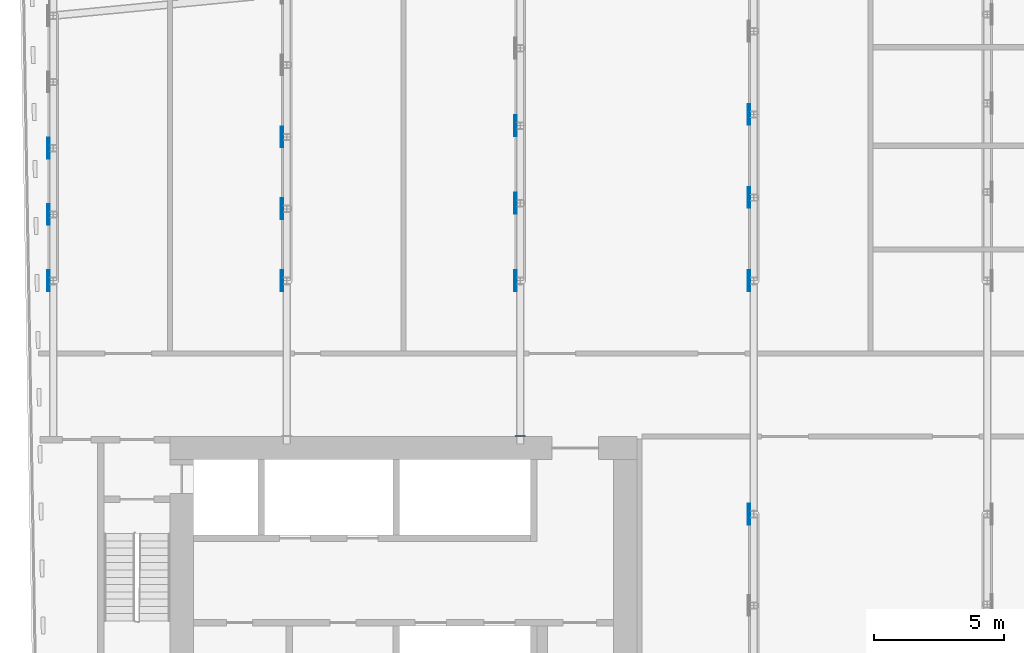
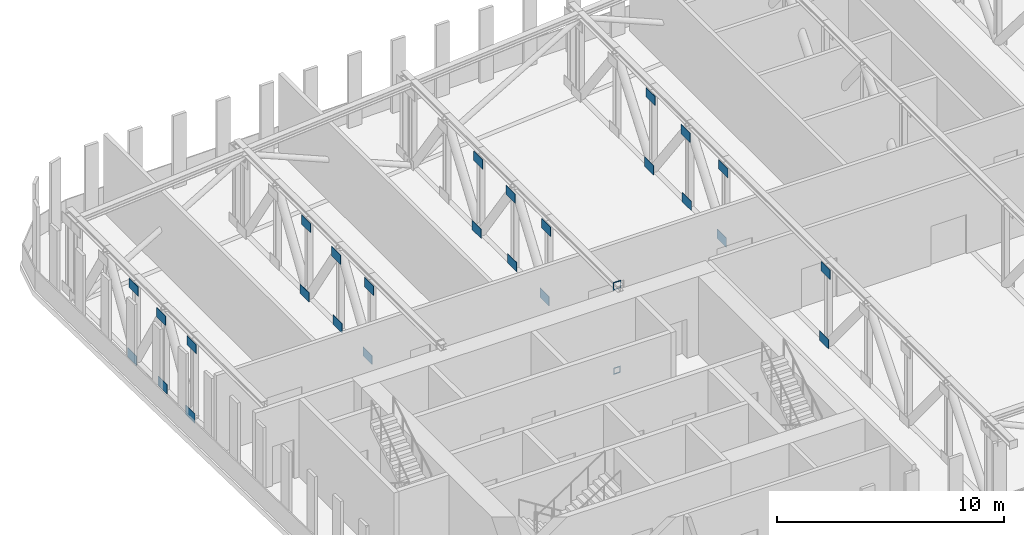
# One storey, part 15 of 26: 28 discrete accessories.
"""IFC4 building model written with IfcOpenShell, lengths in metres."""

from ifc_helpers import new_model, si_unit, direction, frame, origin, place, context, subcontext, project, spatial, polyline, outline, extrude, material, layer, layer_set, type_object, element, save


model = new_model("IFC4")

# Units and contexts
model_context = context("Model", 3, precision=1e-05, world=origin(), true_north=direction((0.0, 1.0)))
body_context = subcontext(model_context, "Body", "Model", "MODEL_VIEW")
ifc_project = project(units=[si_unit("LENGTHUNIT", "METRE"), si_unit("AREAUNIT", "SQUARE_METRE"), si_unit("VOLUMEUNIT", "CUBIC_METRE"), si_unit("PLANEANGLEUNIT", "RADIAN"), si_unit("MASSUNIT", "GRAM", prefix="KILO")], contexts=[model_context])

# Site, building, storey
site_placement = place(None, origin())
site = spatial("IfcSite", under=ifc_project, at=site_placement, CompositionType="ELEMENT")
building_placement = place(site_placement, origin())
building = spatial("IfcBuilding", under=site, at=building_placement, Name="Kajstack Hotel Tower", CompositionType="ELEMENT")
storey_placement = place(building_placement, frame((0.0, 0.0, 257.300048828125)))
storey = spatial("IfcBuildingStorey", under=building, at=storey_placement, Name="L64", CompositionType="ELEMENT", Elevation=257.300048828125)

# Discrete accessories
ifc_material = material(Name="Steel S355J2", Category="steel")
ifc_layer_1 = layer(ifc_material, 0.02490234375)
ifc_layer_set_1 = layer_set([ifc_layer_1], Name="CAST-IN PLATE")
discrete_accessory_type_1 = type_object("IfcDiscreteAccessoryType", Name="CAST-IN PLATE", PredefinedType="BRACKET", material=ifc_layer_set_1)
discrete_accessory_1_placement = place(storey_placement, frame((-18.0, -1.5, -0.130126953125), z_axis=(0.0, 1.0, 0.0), x_axis=(-1.0, 0.0, 0.0)))
element("IfcDiscreteAccessory", 1, at=discrete_accessory_1_placement, inside=storey, type_object=discrete_accessory_type_1, Name="Cast-in plate L64-027", PredefinedType="BRACKET", context=body_context, shape_type="SweptSolid", body=[
    extrude(outline(polyline([(-0.179931640625, -0.179931640625), (0.179931640625, -0.179931640625), (0.179931640625, 0.179931640625), (-0.179931640625, 0.179931640625), (-0.179931640625, -0.179931640625)]), holes=[polyline([(-0.1298828125, -0.1298828125), (-0.1298828125, 0.1298828125), (0.1298828125, 0.1298828125), (0.1298828125, -0.1298828125), (-0.1298828125, -0.1298828125)])]), origin(), (0.0, 0.0, 1.0), 0.02490234375),
])
discrete_accessory_2_placement = place(storey_placement, frame((-18.0, -1.5, 4.43994140625), z_axis=(0.0, 1.0, 0.0), x_axis=(-1.0, 0.0, 0.0)))
element("IfcDiscreteAccessory", 2, at=discrete_accessory_2_placement, inside=storey, type_object=discrete_accessory_type_1, Name="Cast-in plate L64-028", PredefinedType="BRACKET", context=body_context, shape_type="SweptSolid", body=[
    extrude(outline(polyline([(-0.199951171875, -0.2099609375), (0.199951171875, -0.2099609375), (0.199951171875, 0.2099609375), (-0.199951171875, 0.2099609375), (-0.199951171875, -0.2099609375)]), holes=[polyline([(-0.14990234375, -0.159912109375), (-0.14990234375, 0.159912109375), (0.14990234375, 0.159912109375), (0.14990234375, -0.159912109375), (-0.14990234375, -0.159912109375)])]), origin(), (0.0, 0.0, 1.0), 0.02490234375),
])
ifc_layer_2 = layer(ifc_material, 0.02001953125)
ifc_layer_set_2 = layer_set([ifc_layer_2], Name="GUSSET PLATE")
discrete_accessory_type_2 = type_object("IfcDiscreteAccessoryType", Name="GUSSET PLATE", PredefinedType="BRACKET", material=ifc_layer_set_2)
for number, where, z_axis, x_axis, name in (
    (3, (-36.22314453125, 4.5, 0.0), (1.0, 0.0, 0.0), (0.0, 1.0, 0.0), "Gusset plate L64-629"),
    (4, (-36.14990234375, 4.5, 3.699951171875), (1.0, 0.0, 0.0), (0.0, 1.0, 0.0), "Gusset plate L64-630"),
    (5, (-36.14990234375, 7.0546875, 0.0), (1.0, 0.0, 0.0), (0.0, 1.0, 0.0), "Gusset plate L64-631"),
    (6, (-36.22314453125, 7.0546875, 3.699951171875), (1.0, 0.0, 0.0), (0.0, 1.0, 0.0), "Gusset plate L64-632"),
    (7, (-36.22314453125, 9.609130859375, 0.0), (1.0, 0.0, 0.0), (0.0, 1.0, 0.0), "Gusset plate L64-633"),
    (8, (-36.14990234375, 9.609130859375, 3.699951171875), (1.0, 0.0, 0.0), (0.0, 1.0, 0.0), "Gusset plate L64-634"),
    (9, (-27.22314453125, 4.5, 0.0), (1.0, 0.0, 0.0), (0.0, 1.0, 0.0), "Gusset plate L64-641"),
    (10, (-27.14990234375, 4.5, 3.699951171875), (1.0, 0.0, 0.0), (0.0, 1.0, 0.0), "Gusset plate L64-642"),
    (11, (-27.14990234375, 7.271240234375, 0.0), (1.0, 0.0, 0.0), (0.0, 1.0, 0.0), "Gusset plate L64-643"),
    (12, (-27.22314453125, 7.271240234375, 3.699951171875), (1.0, 0.0, 0.0), (0.0, 1.0, 0.0), "Gusset plate L64-644"),
    (13, (-27.22314453125, 10.04248046875, 0.0), (1.0, 0.0, 0.0), (0.0, 1.0, 0.0), "Gusset plate L64-645"),
    (14, (-27.14990234375, 10.04248046875, 3.699951171875), (1.0, 0.0, 0.0), (0.0, 1.0, 0.0), "Gusset plate L64-646"),
    (15, (-18.22314453125, 4.5, 0.0), (1.0, 0.0, 0.0), (0.0, 1.0, 0.0), "Gusset plate L64-653"),
    (16, (-18.14990234375, 4.5, 3.699951171875), (1.0, 0.0, 0.0), (0.0, 1.0, 0.0), "Gusset plate L64-654"),
    (17, (-18.14990234375, 7.48779296875, 0.0), (1.0, 0.0, 0.0), (0.0, 1.0, 0.0), "Gusset plate L64-655"),
    (18, (-18.22314453125, 7.48779296875, 3.699951171875), (1.0, 0.0, 0.0), (0.0, 1.0, 0.0), "Gusset plate L64-656"),
    (19, (-18.22314453125, 10.475830078125, 0.0), (1.0, 0.0, 0.0), (0.0, 1.0, 0.0), "Gusset plate L64-657"),
    (20, (-18.14990234375, 10.475830078125, 3.699951171875), (1.0, 0.0, 0.0), (0.0, 1.0, 0.0), "Gusset plate L64-658"),
    (21, (-9.22314453125, -4.5, 0.0), (1.0, 0.0, 0.0), (0.0, 1.0, 0.0), "Gusset plate L64-675"),
    (22, (-9.14990234375, -4.5, 3.699951171875), (1.0, 0.0, 0.0), (0.0, 1.0, 0.0), "Gusset plate L64-676"),
    (23, (-9.22314453125, 4.5, 0.0), (1.0, 0.0, 0.0), (0.0, 1.0, 0.0), "Gusset plate L64-677"),
    (24, (-9.14990234375, 4.5, 3.699951171875), (1.0, 0.0, 0.0), (0.0, 1.0, 0.0), "Gusset plate L64-678"),
    (25, (-9.14990234375, 7.70458984375, 0.0), (1.0, 0.0, 0.0), (0.0, 1.0, 0.0), "Gusset plate L64-679"),
    (26, (-9.22314453125, 7.70458984375, 3.699951171875), (1.0, 0.0, 0.0), (0.0, 1.0, 0.0), "Gusset plate L64-680"),
    (27, (-9.22314453125, 10.9091796875, 0.0), (1.0, 0.0, 0.0), (0.0, 1.0, 0.0), "Gusset plate L64-681"),
    (28, (-9.14990234375, 10.9091796875, 3.699951171875), (1.0, 0.0, 0.0), (0.0, 1.0, 0.0), "Gusset plate L64-682"),
):
    element("IfcDiscreteAccessory", number, at=place(storey_placement, frame(where, z_axis=z_axis, x_axis=x_axis)), inside=storey, type_object=discrete_accessory_type_2, Name=name, PredefinedType="BRACKET", context=body_context, shape_type="SweptSolid", body=[
        extrude(outline(polyline([(-0.39990234375, 0.0), (0.39990234375, 0.0), (0.39990234375, 0.5), (-0.39990234375, 0.5), (-0.39990234375, 0.0)])), origin(), (0.0, 0.0, 1.0), 0.02001953125),
    ])

save(model, "model.ifc")
